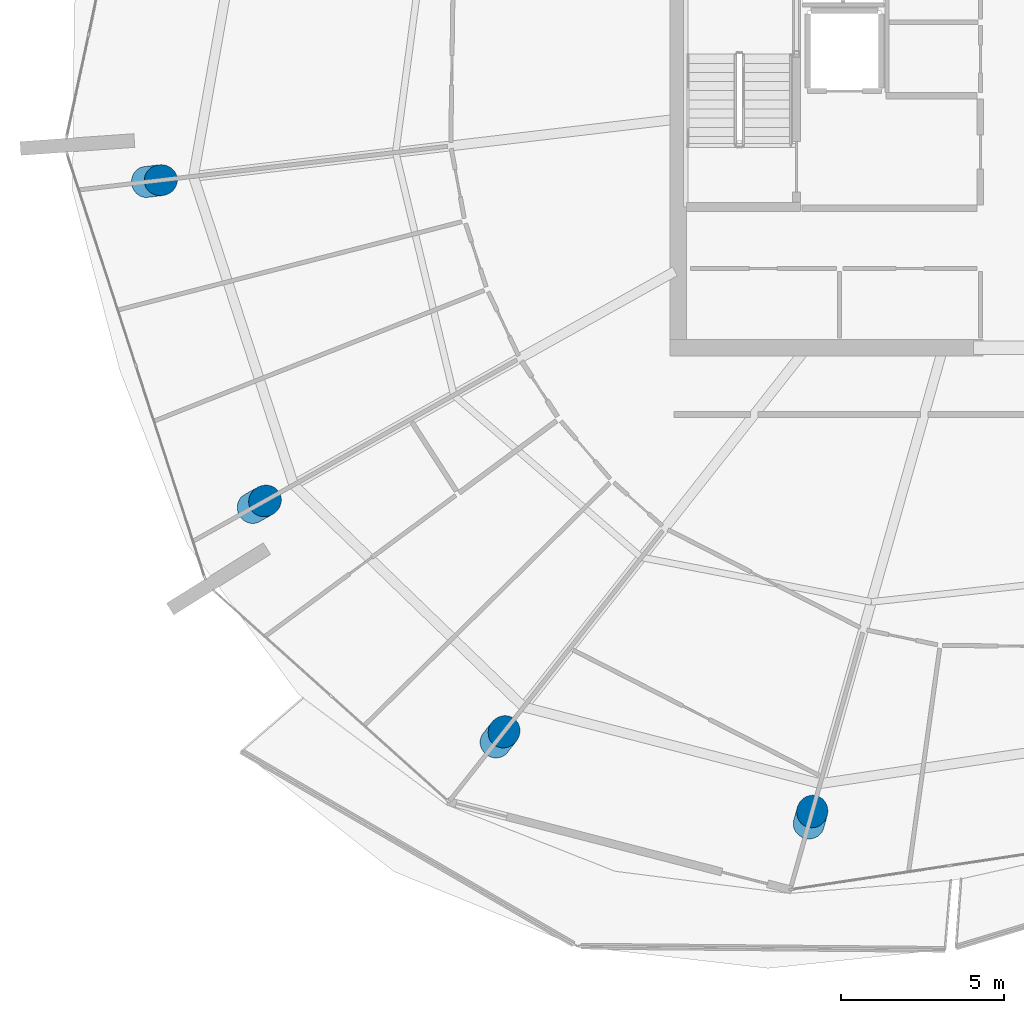
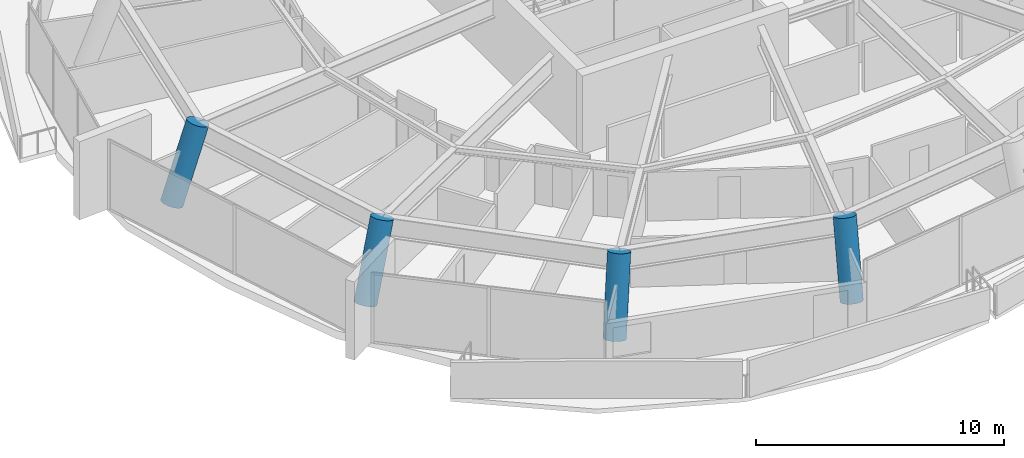
# One storey, part 1 of 27: 4 columns.
"""IFC4 building model written with IfcOpenShell, lengths in metres."""

from ifc_helpers import new_model, si_unit, direction, frame, origin, origin_2d, place, context, subcontext, project, spatial, circle, extrude, material, material_profile, profile_set, type_object, element, save


model = new_model("IFC4")

# Units and contexts
model_context = context("Model", 3, precision=1e-05, world=origin(), true_north=direction((0.0, 1.0)))
body_context = subcontext(model_context, "Body", "Model", "MODEL_VIEW")
ifc_project = project(units=[si_unit("LENGTHUNIT", "METRE"), si_unit("AREAUNIT", "SQUARE_METRE"), si_unit("VOLUMEUNIT", "CUBIC_METRE"), si_unit("PLANEANGLEUNIT", "RADIAN"), si_unit("MASSUNIT", "GRAM", prefix="KILO")], contexts=[model_context])

# Site, building, storey
site_placement = place(None, origin())
site = spatial("IfcSite", under=ifc_project, at=site_placement, CompositionType="ELEMENT")
building_placement = place(site_placement, origin())
building = spatial("IfcBuilding", under=site, at=building_placement, Name="Kazma Halo Residences", CompositionType="ELEMENT")
storey_placement = place(building_placement, frame((0.0, 0.0, 306.0)))
storey = spatial("IfcBuildingStorey", under=building, at=storey_placement, Name="L77", CompositionType="ELEMENT", Elevation=306.0)

# Columns
ifc_material = material(Name="Concrete C60/75", Category="concrete")
ifc_material_profile = material_profile(ifc_material, circle(Radius=0.47509765625, at=origin_2d()), Name="CIRC950")
ifc_profile_set = profile_set([ifc_material_profile], Name="Concrete C60/75")
column_type = type_object("IfcColumnType", Name="COL-PERIM-950", PredefinedType="COLUMN", material=ifc_profile_set)
column_1_placement = place(storey_placement, frame((21.22998046875, 38.83154296875, 0.0), z_axis=(0.353185583697, 0.041800241366, 0.934619004349), x_axis=(-0.117531776266, 0.993069122251, 0.0)))
element("IfcColumn", 1, at=column_1_placement, inside=storey, type_object=column_type, Name="L77 perimeter ring column P08", PredefinedType="COLUMN", context=body_context, shape_type="SweptSolid", body=[
    extrude(circle(Radius=0.47509765625, at=origin_2d()), origin(), (0.0, 0.0, 1.0), 3.69140625),
])
column_2_placement = place(storey_placement, frame((24.480224609375, 28.828369140625, 0.0), z_axis=(0.310266678736, 0.173751985726, 0.934636204907), x_axis=(-0.488609032596, 0.872502844274, 0.0)))
element("IfcColumn", 2, at=column_2_placement, inside=storey, type_object=column_type, Name="L77 perimeter ring column P09", PredefinedType="COLUMN", context=body_context, shape_type="SweptSolid", body=[
    extrude(circle(Radius=0.47509765625, at=origin_2d()), origin(), (0.0, 0.0, 1.0), 3.691162109375),
])
column_3_placement = place(storey_placement, frame((31.9384765625, 21.6259765625, 0.0), z_axis=(0.212903289351, 0.270116064673, 0.938993876971), x_axis=(-0.785372123188, 0.619023931782, 0.0)))
element("IfcColumn", 3, at=column_3_placement, inside=storey, type_object=column_type, Name="L77 perimeter ring column P10", PredefinedType="COLUMN", context=body_context, shape_type="SweptSolid", body=[
    extrude(circle(Radius=0.47509765625, at=origin_2d()), origin(), (0.0, 0.0, 1.0), 3.674072265625),
])
column_4_placement = place(storey_placement, frame((41.552490234375, 19.138671875, 0.0), z_axis=(0.086284912029, 0.305955831144, 0.948127598662), x_axis=(-0.962458159265, 0.271430086144, 0.0)))
element("IfcColumn", 4, at=column_4_placement, inside=storey, type_object=column_type, Name="L77 perimeter ring column P11", PredefinedType="COLUMN", context=body_context, shape_type="SweptSolid", body=[
    extrude(circle(Radius=0.47509765625, at=origin_2d()), origin(), (0.0, 0.0, 1.0), 3.638671875),
])

save(model, "model.ifc")
